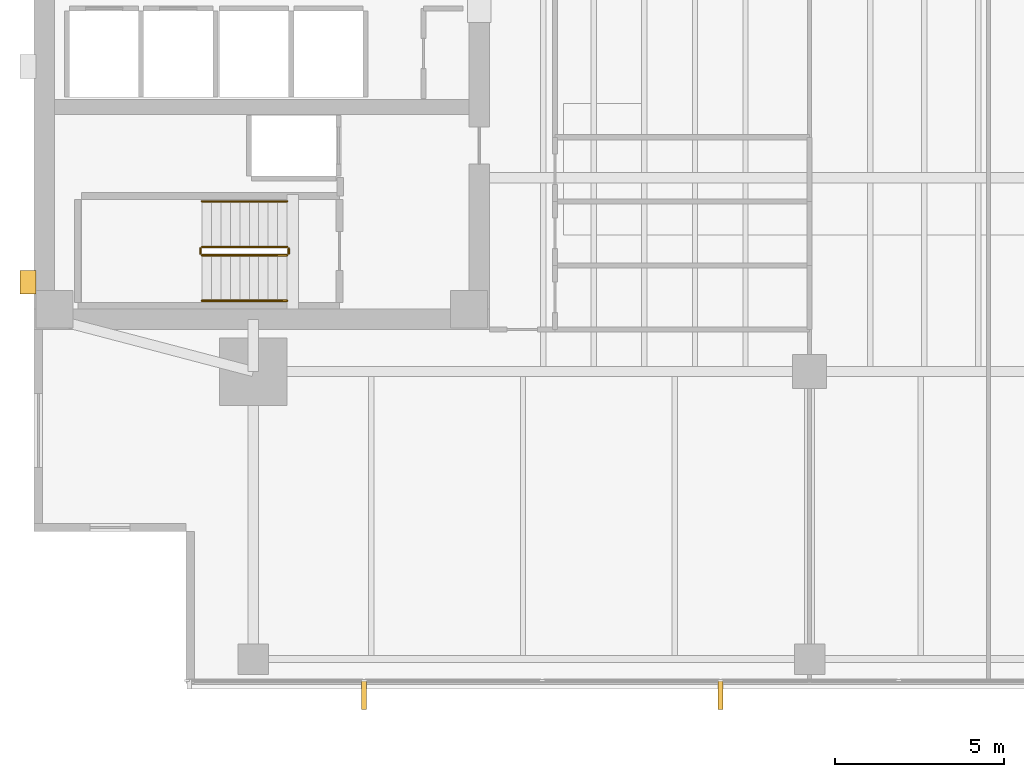
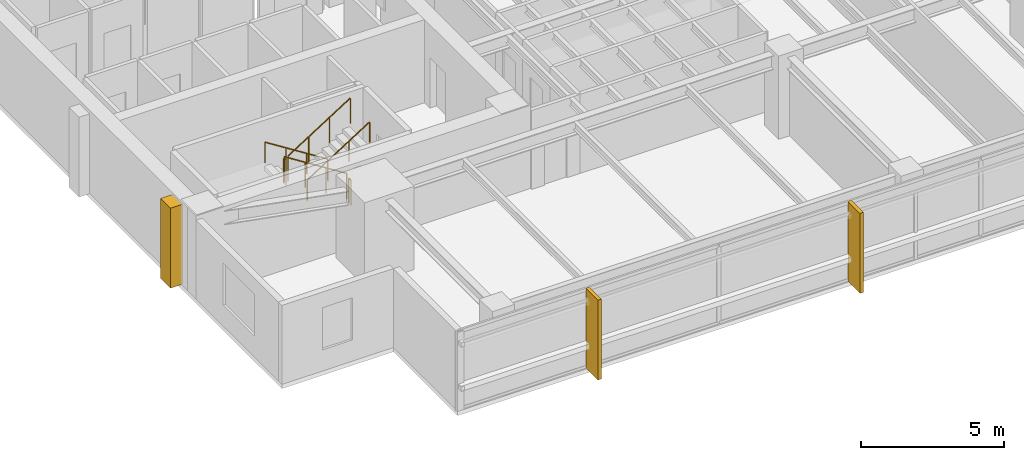
# One storey, part 11 of 14: 6 railings, 3 coverings.
"""IFC4 building model written with IfcOpenShell, lengths in metres."""

from ifc_helpers import new_model, si_unit, direction, frame, origin, origin_2d, place, context, subcontext, project, spatial, polyline, circle, outline, extrude, material, layer, layer_set, type_object, element, save


model = new_model("IFC4")

# Units and contexts
model_context = context("Model", 3, precision=1e-05, world=origin(), true_north=direction((0.0, 1.0)))
body_context = subcontext(model_context, "Body", "Model", "MODEL_VIEW")
ifc_project = project(units=[si_unit("LENGTHUNIT", "METRE"), si_unit("AREAUNIT", "SQUARE_METRE"), si_unit("VOLUMEUNIT", "CUBIC_METRE"), si_unit("PLANEANGLEUNIT", "RADIAN"), si_unit("MASSUNIT", "GRAM", prefix="KILO")], contexts=[model_context])

# Site, building, storey
site_placement = place(None, origin())
site = spatial("IfcSite", under=ifc_project, at=site_placement, CompositionType="ELEMENT")
building_placement = place(site_placement, origin())
building = spatial("IfcBuilding", under=site, at=building_placement, Name="Kinhvarn Gate Tower", CompositionType="ELEMENT")
storey_placement = place(building_placement, frame((0.0, 0.0, 120.0)))
storey = spatial("IfcBuildingStorey", under=building, at=storey_placement, Name="L31", CompositionType="ELEMENT", Elevation=120.0)

# Coverings
ifc_material_1 = material(Name="Fired architectural terracotta", Category="masonry")
ifc_layer_1 = layer(ifc_material_1, 0.139892578125)
ifc_layer_set_1 = layer_set([ifc_layer_1], Name="Fired architectural terracotta")
covering_type_1 = type_object("IfcCoveringType", Name="COV-FIN-850", PredefinedType="CLADDING", material=ifc_layer_set_1)
covering_1_placement = place(storey_placement, frame((0.0, 0.0, -0.02001953125)))
element("IfcCovering", 1, at=covering_1_placement, inside=storey, type_object=covering_type_1, Name="Vertical Terracotta Expressive Fin TFN-850 (L31)", PredefinedType="CLADDING", context=body_context, shape_type="SweptSolid", body=[
    extrude(outline(polyline([(14.2158203125, 3.580078125), (14.355712890625, 3.580078125), (14.355712890625, 2.72998046875), (14.2158203125, 2.72998046875), (14.2158203125, 3.580078125)])), origin(), (0.0, 0.0, 1.0), 3.409912109375),
])
covering_2_placement = place(storey_placement, frame((0.0, 0.0, -0.02001953125)))
element("IfcCovering", 2, at=covering_2_placement, inside=storey, type_object=covering_type_1, Name="Vertical Terracotta Expressive Fin TFN-850 (L31)", PredefinedType="CLADDING", context=body_context, shape_type="SweptSolid", body=[
    extrude(outline(polyline([(24.787109375, 3.580078125), (24.927001953125, 3.580078125), (24.927001953125, 2.72998046875), (24.787109375, 2.72998046875), (24.787109375, 3.580078125)])), origin(), (0.0, 0.0, 1.0), 3.409912109375),
])
ifc_material_2 = material(Name="Precast white architectural concrete C40/50", Category="concrete")
ifc_layer_2 = layer(ifc_material_2, 0.47998046875)
ifc_layer_set_2 = layer_set([ifc_layer_2], Name="Precast white architectural concrete C40/50")
covering_type_2 = type_object("IfcCoveringType", Name="COV-RIB-450", PredefinedType="CLADDING", material=ifc_layer_set_2)
covering_3_placement = place(storey_placement, frame((0.0, 0.0, -0.02001953125)))
element("IfcCovering", 3, at=covering_3_placement, inside=storey, type_object=covering_type_2, Name="West Core Sculptural Concrete Relief Rib CRB-450 (L31)", PredefinedType="CLADDING", context=body_context, shape_type="SweptSolid", body=[
    extrude(outline(polyline([(4.080078125, 15.050048828125), (4.56005859375, 15.050048828125), (4.56005859375, 15.75), (4.080078125, 15.75), (4.080078125, 15.050048828125)])), origin(), (0.0, 0.0, 1.0), 3.409912109375),
])

# Railings
ifc_material_3 = material(Name="Steel S355", Category="steel")
railing_type_1 = type_object("IfcRailingType", Name="RL-ST-GRD", PredefinedType="BALUSTRADE", material=ifc_material_3)
railing_1_placement = place(storey_placement, frame((12.0, 16.449951171875, 0.177490234375)))
element("IfcRailing", 4, at=railing_1_placement, inside=storey, type_object=railing_type_1, Name="L31 ST1 stair guard 1", PredefinedType="BALUSTRADE", context=body_context, shape_type="SweptSolid", body=[
    extrude(circle(Radius=0.02392578125, at=origin_2d()), frame((0.0, 0.0, 1.076171875), z_axis=(-0.84460694969, 0.0, 0.535386869969), x_axis=(0.0, -1.0, 0.0)), (0.0, 0.0, 1.0), 2.983642578125),
    extrude(circle(Radius=0.02099609375, at=origin_2d()), origin(), (0.0, 0.0, 1.0), 1.052001953125),
    extrude(circle(Radius=0.02099609375, at=origin_2d()), frame((-0.840087890625, 0.0, 0.532470703125)), (0.0, 0.0, 1.0), 1.052001953125),
    extrude(circle(Radius=0.02099609375, at=origin_2d()), frame((-1.679931640625, 0.0, 1.06494140625)), (0.0, 0.0, 1.0), 1.052001953125),
    extrude(circle(Radius=0.02099609375, at=origin_2d()), frame((-2.52001953125, 0.0, 1.597412109375)), (0.0, 0.0, 1.0), 1.052001953125),
])
railing_2_placement = place(storey_placement, frame((9.429931640625, 16.39990234375, 1.77490234375)))
element("IfcRailing", 5, at=railing_2_placement, inside=storey, type_object=railing_type_1, Name="L31 ST1 stair guard 2", PredefinedType="BALUSTRADE", context=body_context, shape_type="SweptSolid", body=[
    extrude(circle(Radius=0.02392578125, at=origin_2d()), frame((0.0, 0.0, 1.076171875), z_axis=(0.0, -1.0, 0.0), x_axis=(1.0, 0.0, 0.0)), (0.0, 0.0, 1.0), 0.14990234375),
    extrude(circle(Radius=0.02099609375, at=origin_2d()), origin(), (0.0, 0.0, 1.0), 1.052001953125),
    extrude(circle(Radius=0.02099609375, at=origin_2d()), frame((0.0, -0.14990234375, 0.0)), (0.0, 0.0, 1.0), 1.052001953125),
])
railing_3_placement = place(storey_placement, frame((9.47998046875, 16.199951171875, 1.952392578125)))
element("IfcRailing", 6, at=railing_3_placement, inside=storey, type_object=railing_type_1, Name="L31 ST1 stair guard 3", PredefinedType="BALUSTRADE", context=body_context, shape_type="SweptSolid", body=[
    extrude(circle(Radius=0.02392578125, at=origin_2d()), frame((0.0, 0.0, 1.076171875), z_axis=(0.84456994832, 0.0, 0.535445237532), x_axis=(0.0, 1.0, 0.0)), (0.0, 0.0, 1.0), 2.98388671875),
    extrude(circle(Radius=0.02099609375, at=origin_2d()), origin(), (0.0, 0.0, 1.0), 1.052001953125),
    extrude(circle(Radius=0.02099609375, at=origin_2d()), frame((0.840087890625, 0.0, 0.532470703125)), (0.0, 0.0, 1.0), 1.052001953125),
    extrude(circle(Radius=0.02099609375, at=origin_2d()), frame((1.679931640625, 0.0, 1.065185546875)), (0.0, 0.0, 1.0), 1.052001953125),
    extrude(circle(Radius=0.02099609375, at=origin_2d()), frame((2.52001953125, 0.0, 1.59765625)), (0.0, 0.0, 1.0), 1.052001953125),
])
railing_4_placement = place(storey_placement, frame((12.050048828125, 16.39990234375, 0.0)))
element("IfcRailing", 7, at=railing_4_placement, inside=storey, type_object=railing_type_1, Name="L31 ST1 stair guard 4", PredefinedType="BALUSTRADE", context=body_context, shape_type="SweptSolid", body=[
    extrude(circle(Radius=0.02392578125, at=origin_2d()), frame((0.0, 0.0, 1.076171875), z_axis=(0.0, -1.0, 0.0), x_axis=(1.0, 0.0, 0.0)), (0.0, 0.0, 1.0), 0.14990234375),
    extrude(circle(Radius=0.02099609375, at=origin_2d()), origin(), (0.0, 0.0, 1.0), 1.052001953125),
    extrude(circle(Radius=0.02099609375, at=origin_2d()), frame((0.0, -0.14990234375, 0.0)), (0.0, 0.0, 1.0), 1.052001953125),
])
railing_type_2 = type_object("IfcRailingType", Name="RL-ST-HND", PredefinedType="HANDRAIL", material=ifc_material_3)
railing_5_placement = place(storey_placement, frame((12.0, 17.800048828125, 0.177490234375)))
element("IfcRailing", 8, at=railing_5_placement, inside=storey, type_object=railing_type_2, Name="L31 ST1 stair handrail 1", PredefinedType="HANDRAIL", context=body_context, shape_type="SweptSolid", body=[
    extrude(circle(Radius=0.02392578125, at=origin_2d()), frame((0.0, 0.0, 0.8759765625), z_axis=(-0.84460694969, 0.0, 0.535386869969), x_axis=(0.0, -1.0, 0.0)), (0.0, 0.0, 1.0), 2.983642578125),
    extrude(circle(Radius=0.02099609375, at=origin_2d()), origin(), (0.0, 0.0, 1.0), 0.851806640625),
    extrude(circle(Radius=0.02099609375, at=origin_2d()), frame((-0.840087890625, 0.0, 0.532470703125)), (0.0, 0.0, 1.0), 0.851806640625),
    extrude(circle(Radius=0.02099609375, at=origin_2d()), frame((-1.679931640625, 0.0, 1.06494140625)), (0.0, 0.0, 1.0), 0.851806640625),
    extrude(circle(Radius=0.02099609375, at=origin_2d()), frame((-2.52001953125, 0.0, 1.597412109375)), (0.0, 0.0, 1.0), 0.851806640625),
])
railing_6_placement = place(storey_placement, frame((9.47998046875, 14.85009765625, 1.952392578125)))
element("IfcRailing", 9, at=railing_6_placement, inside=storey, type_object=railing_type_2, Name="L31 ST1 stair handrail 2", PredefinedType="HANDRAIL", context=body_context, shape_type="SweptSolid", body=[
    extrude(circle(Radius=0.02392578125, at=origin_2d()), frame((0.0, 0.0, 0.8759765625), z_axis=(0.84456994832, 0.0, 0.535445237532), x_axis=(0.0, 1.0, 0.0)), (0.0, 0.0, 1.0), 2.98388671875),
    extrude(circle(Radius=0.02099609375, at=origin_2d()), origin(), (0.0, 0.0, 1.0), 0.851806640625),
    extrude(circle(Radius=0.02099609375, at=origin_2d()), frame((0.840087890625, 0.0, 0.532470703125)), (0.0, 0.0, 1.0), 0.851806640625),
    extrude(circle(Radius=0.02099609375, at=origin_2d()), frame((1.679931640625, 0.0, 1.065185546875)), (0.0, 0.0, 1.0), 0.851806640625),
    extrude(circle(Radius=0.02099609375, at=origin_2d()), frame((2.52001953125, 0.0, 1.59765625)), (0.0, 0.0, 1.0), 0.851806640625),
])

save(model, "model.ifc")
